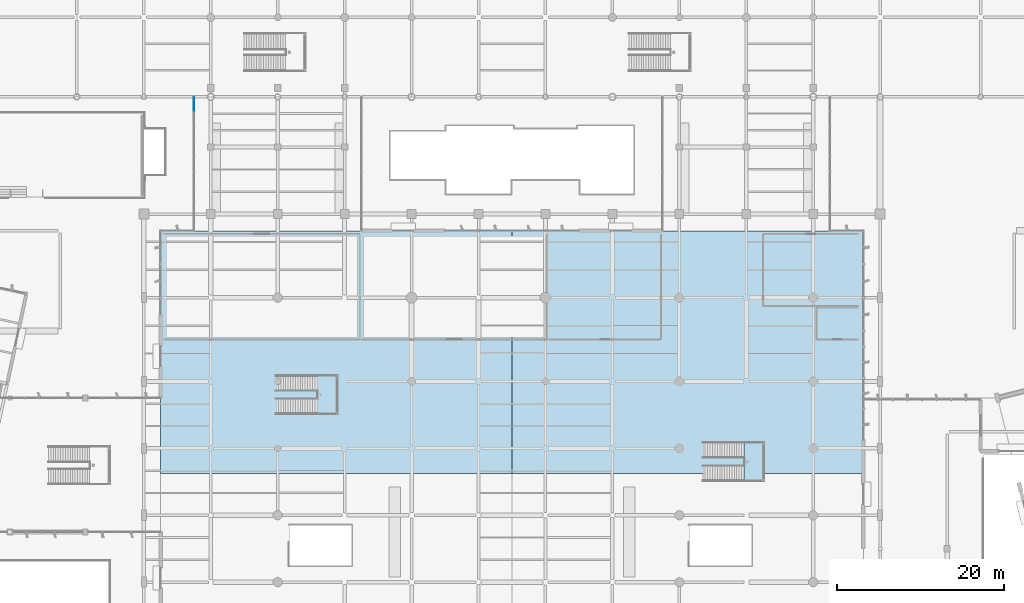
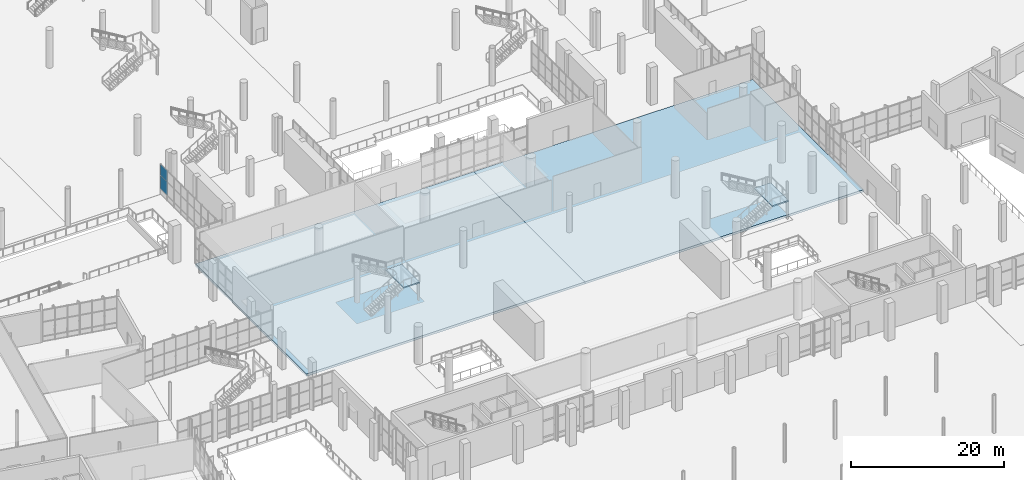
# One storey, part 114 of 163: 4 slabs, 2 plates, 3 elements without a shape of their own.
"""IFC4 building model written with IfcOpenShell, lengths in metres."""

from ifc_helpers import new_model, si_unit, direction, frame, origin, origin_2d, place, context, subcontext, project, spatial, polyline, rectangle, outline, extrude, material, layer, layer_set, type_object, element, aggregate, save


model = new_model("IFC4")

# Units and contexts
model_context = context("Model", 3, precision=1e-05, world=origin(), true_north=direction((0.0, 1.0)))
body_context = subcontext(model_context, "Body", "Model", "MODEL_VIEW")
ifc_project = project(units=[si_unit("LENGTHUNIT", "METRE"), si_unit("AREAUNIT", "SQUARE_METRE"), si_unit("VOLUMEUNIT", "CUBIC_METRE"), si_unit("PLANEANGLEUNIT", "RADIAN"), si_unit("MASSUNIT", "GRAM", prefix="KILO")], contexts=[model_context])

# Site, building, storey
site_placement = place(None, origin())
site = spatial("IfcSite", under=ifc_project, at=site_placement, CompositionType="ELEMENT")
building_placement = place(site_placement, origin())
building = spatial("IfcBuilding", under=site, at=building_placement, Name="Khorjan Park Terminus", CompositionType="ELEMENT")
storey_placement = place(building_placement, origin())
storey = spatial("IfcBuildingStorey", under=building, at=storey_placement, Name="L00", CompositionType="ELEMENT", Elevation=0.0)

# Curtain wall, plates
ifc_material_1 = material(Name="Anodized Bronze Aluminium", Category="aluminium")
ifc_layer_1 = layer(ifc_material_1, 0.22)
ifc_layer_set_1 = layer_set([ifc_layer_1], Name="Anodized Bronze Aluminium")
curtain_wall_type = type_object("IfcCurtainWallType", Name="CW-BRG-D", PredefinedType="NOTDEFINED", material=ifc_layer_set_1)
curtain_wall_placement = place(storey_placement, origin())
curtain_wall = element("IfcCurtainWall", 1, at=curtain_wall_placement, inside=storey, type_object=curtain_wall_type, Name="Unitized curtain wall CW-D (CW-NKW-W-L00)", PredefinedType="NOTDEFINED")
ifc_material_2 = material(Name="Low-E Solar Control Double Glazing", Category="glass")
ifc_layer_2 = layer(ifc_material_2, 0.032)
ifc_layer_set_2 = layer_set([ifc_layer_2], Name="Low-E Solar Control Double Glazing")
plate_type = type_object("IfcPlateType", Name="GL-VIS-32", PredefinedType="CURTAIN_PANEL", material=ifc_layer_set_2)
plate_1_placement = place(storey_placement, frame((54.0, 101.1111, 0.8499), z_axis=(0.0, 0.0, 1.0), x_axis=(0.0, -1.0, 0.0)))
plate_1 = element("IfcPlate", 2, at=plate_1_placement, type_object=plate_type, Name="Curtain-wall panel VP-32 (CW-NKW-W-L00-0-2)", PredefinedType="CURTAIN_PANEL", context=body_context, shape_type="SweptSolid", body=[
    extrude(rectangle(XDim=1.7778, YDim=0.032, at=origin_2d()), origin(), (0.0, 0.0, 1.0), 2.1415),
])
plate_2_placement = place(storey_placement, frame((54.0, 101.1111, 2.9914), z_axis=(0.0, 0.0, 1.0), x_axis=(0.0, -1.0, 0.0)))
plate_2 = element("IfcPlate", 3, at=plate_2_placement, type_object=plate_type, Name="Curtain-wall panel VP-32 (CW-NKW-W-L00-0-3)", PredefinedType="CURTAIN_PANEL", context=body_context, shape_type="SweptSolid", body=[
    extrude(rectangle(XDim=1.7778, YDim=0.032, at=origin_2d()), origin(), (0.0, 0.0, 1.0), 1.8435),
])
aggregate(curtain_wall, [plate_1, plate_2])

# Slabs
ifc_material_3 = material(Name="Concrete C40/50", Category="concrete")
ifc_layer_3 = layer(ifc_material_3, 0.35)
ifc_layer_set_3 = layer_set([ifc_layer_3], Name="Concrete C40/50")
slab_type_1 = type_object("IfcSlabType", Name="SL-FLR-350", PredefinedType="FLOOR", material=ifc_layer_set_3)
slab_1_placement = place(storey_placement, frame((0.0, 0.0, -0.35)))
element("IfcSlab", 4, at=slab_1_placement, inside=storey, type_object=slab_type_1, Name="Structural floor slab FS-35 (L00-V2-NE)", PredefinedType="FLOOR", context=body_context, shape_type="SweptSolid", body=[
    extrude(outline(polyline([(92.0, 86.0), (134.0, 86.0), (134.0, 57.0), (92.0, 57.0), (92.0, 86.0)])), origin(), (0.0, 0.0, 1.0), 0.35),
])
ifc_layer_4 = layer(ifc_material_3, 0.36)
ifc_layer_set_4 = layer_set([ifc_layer_4], Name="Concrete C40/50")
slab_type_2 = type_object("IfcSlabType", Name="SL-FLR-360", PredefinedType="FLOOR", material=ifc_layer_set_4)
slab_2_placement = place(storey_placement, frame((0.0, 0.0, -0.36)))
element("IfcSlab", 5, at=slab_2_placement, inside=storey, type_object=slab_type_2, Name="Structural floor slab FS-36 (L00-V2-NW)", PredefinedType="FLOOR", context=body_context, shape_type="SweptSolid", body=[
    extrude(outline(polyline([(50.0, 86.0), (92.0, 86.0), (92.0, 57.0), (50.0, 57.0), (50.0, 86.0)])), origin(), (0.0, 0.0, 1.0), 0.36),
])

# Stair, slab
stair_type = type_object("IfcStairType", Name="STR-PUB-190", PredefinedType="HALF_TURN_STAIR", material=ifc_material_3)
stair_1_placement = place(storey_placement, origin())
stair_1 = element("IfcStair", 6, at=stair_1_placement, inside=storey, type_object=stair_type, Name="Public passenger half-turn stair CS-03", PredefinedType="HALF_TURN_STAIR")
ifc_layer_5 = layer(ifc_material_3, 0.2)
ifc_layer_set_5 = layer_set([ifc_layer_5], Name="Concrete C40/50")
slab_type_3 = type_object("IfcSlabType", Name="SL-LND-200", PredefinedType="LANDING", material=ifc_layer_set_5)
slab_3_placement = place(storey_placement, frame((0.0, 0.0, 2.8)))
slab_3 = element("IfcSlab", 7, at=slab_3_placement, type_object=slab_type_3, Name="Stair CS-03 intermediate half-landing LS-20", PredefinedType="LANDING", context=body_context, shape_type="SweptSolid", body=[
    extrude(outline(polyline([(68.715, 64.06), (71.18, 64.06), (71.18, 68.74), (68.715, 68.74), (68.715, 64.06)])), origin(), (0.0, 0.0, 1.0), 0.2),
])
aggregate(stair_1, [slab_3])

stair_2_placement = place(storey_placement, origin())
stair_2 = element("IfcStair", 8, at=stair_2_placement, inside=storey, type_object=stair_type, Name="Public passenger half-turn stair CS-04", PredefinedType="HALF_TURN_STAIR")
slab_4_placement = place(storey_placement, frame((0.0, 0.0, 2.8)))
slab_4 = element("IfcSlab", 9, at=slab_4_placement, type_object=slab_type_3, Name="Stair CS-04 intermediate half-landing LS-20", PredefinedType="LANDING", context=body_context, shape_type="SweptSolid", body=[
    extrude(outline(polyline([(119.715, 56.06), (122.18, 56.06), (122.18, 60.74), (119.715, 60.74), (119.715, 56.06)])), origin(), (0.0, 0.0, 1.0), 0.2),
])
aggregate(stair_2, [slab_4])

save(model, "model.ifc")
